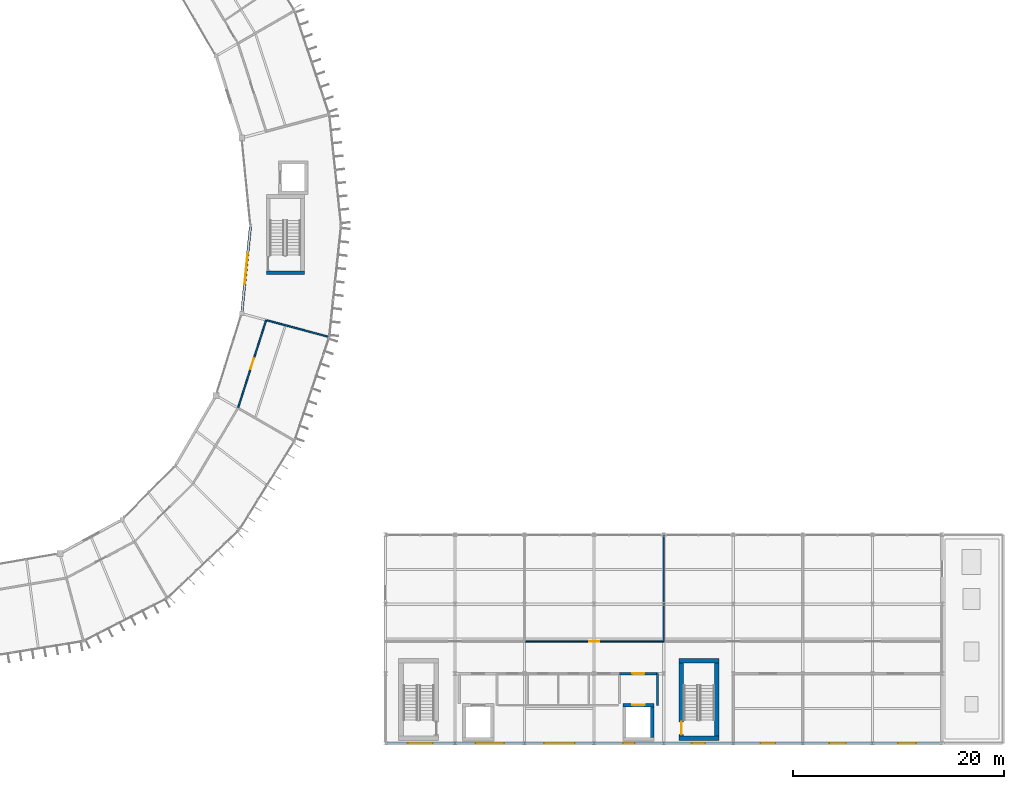
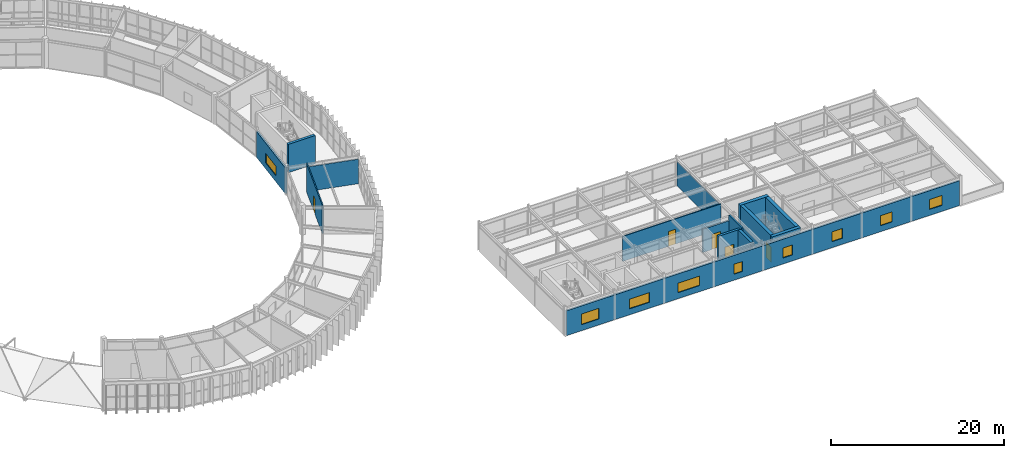
# One storey, part 93 of 106: 15 walls, 9 windows, 5 doors, 14 openings.
"""IFC4 building model written with IfcOpenShell, lengths in metres."""

from ifc_helpers import new_model, si_unit, direction, frame, frame_2d, origin, place, context, subcontext, project, spatial, rectangle, extrude, material, layer, layer_set, type_object, element, fill, save


model = new_model("IFC4")

# Units and contexts
model_context = context("Model", 3, precision=1e-05, world=origin(), true_north=direction((0.0, 1.0)))
body_context = subcontext(model_context, "Body", "Model", "MODEL_VIEW")
ifc_project = project(units=[si_unit("LENGTHUNIT", "METRE"), si_unit("AREAUNIT", "SQUARE_METRE"), si_unit("VOLUMEUNIT", "CUBIC_METRE"), si_unit("PLANEANGLEUNIT", "RADIAN"), si_unit("MASSUNIT", "GRAM", prefix="KILO")], contexts=[model_context])

# Site, building, storey
site_placement = place(None, origin())
site = spatial("IfcSite", under=ifc_project, at=site_placement, CompositionType="ELEMENT")
building_placement = place(site_placement, origin())
building = spatial("IfcBuilding", under=site, at=building_placement, Name="Karori Crest Natural Sciences Institute", CompositionType="ELEMENT")
storey_placement = place(building_placement, frame((0.0, 0.0, 25.89990234375)))
storey = spatial("IfcBuildingStorey", under=building, at=storey_placement, Name="L06", CompositionType="ELEMENT", Elevation=25.89990234375)

# Walls
ifc_material_1 = material(Name="Concrete 50 MPa", Category="concrete")
ifc_layer_1 = layer(ifc_material_1, 0.449951171875, Name="Concrete 50 MPa")
ifc_layer_set_1 = layer_set([ifc_layer_1], Name="Concrete 50 MPa")
wall_type_1 = type_object("IfcWallType", Name="IWT-01", PredefinedType="SHEAR", material=ifc_layer_set_1)
for number, where, z_axis, x_axis, name in (
    (1, (131.449951171875, 1.27490234375, 0.0), (0.0, 0.0, 1.0), (1.0, 0.0, 0.0), "Shear wall IW-0145"),
    (2, (131.449951171875, 8.625, 0.0), (0.0, 0.0, 1.0), (1.0, 0.0, 0.0), "Shear wall IW-0146"),
):
    element("IfcWall", number, at=place(storey_placement, frame(where, z_axis=z_axis, x_axis=x_axis)), inside=storey, type_object=wall_type_1, Name=name, PredefinedType="SHEAR", context=body_context, shape_type="SweptSolid", body=[
        extrude(rectangle(XDim=3.800048828125, YDim=0.449951171875, at=frame_2d((1.89990234375, 0.0))), origin(), (0.0, 0.0, 1.0), 4.02001953125),
    ])

# Wall, opening, door
wall_1_placement = place(storey_placement, frame((131.675048828125, 1.501953125, 0.0), z_axis=(0.0, 0.0, 1.0), x_axis=(0.0, 1.0, 0.0)))
wall_1 = element("IfcWall", 3, at=wall_1_placement, inside=storey, type_object=wall_type_1, Name="Shear wall IW-0147", PredefinedType="SHEAR", context=body_context, shape_type="SweptSolid", body=[
    extrude(rectangle(XDim=6.89599609375, YDim=0.449951171875, at=frame_2d((3.447998046875, 0.0))), origin(), (0.0, 0.0, 1.0), 4.02001953125),
])
opening_1_placement = place(wall_1_placement, frame((0.1201171875, 0.0, 0.0)))
opening_1 = element("IfcOpeningElement", 4, at=opening_1_placement, cuts=wall_1, Name="Opening ID-0037", PredefinedType="OPENING", context=body_context, shape_type="SweptSolid", body=[
    extrude(rectangle(XDim=1.199951171875, YDim=2.14990234375, at=frame_2d((0.60009765625, 1.074951171875))), frame((0.0, 0.23486328125, 0.0), z_axis=(0.0, -1.0, 0.0), x_axis=(1.0, 0.0, 0.0)), (0.0, 0.0, 1.0), 0.469970703125),
])
ifc_material_2 = material(Name="Stainless steel 316 and fire-rated timber", Category="steel")
door_type_1 = type_object("IfcDoorType", Name="IDT-01", OperationType="NOTDEFINED", PredefinedType="DOOR", material=ifc_material_2)
door_1_placement = place(opening_1_placement, origin())
door_1 = element("IfcDoor", 5, at=door_1_placement, inside=storey, type_object=door_type_1, Name="Stair ST-04 fire door ID-0037", OperationType="SINGLE_SWING_LEFT", OverallHeight=2.14990234375, OverallWidth=1.199951171875, PredefinedType="DOOR", context=body_context, shape_type="SweptSolid", body=[
    extrude(rectangle(XDim=1.199951171875, YDim=2.14990234375, at=frame_2d((0.60009765625, 1.074951171875))), frame((0.0, 0.02490234375, 0.0), z_axis=(0.0, -1.0, 0.0), x_axis=(1.0, 0.0, 0.0)), (0.0, 0.0, 1.0), 0.050048828125),
])
fill(opening_1, door_1)

# Walls
wall_2_placement = place(storey_placement, frame((135.02490234375, 1.501953125, 0.0), z_axis=(0.0, 0.0, 1.0), x_axis=(0.0, 1.0, 0.0)))
element("IfcWall", 6, at=wall_2_placement, inside=storey, type_object=wall_type_1, Name="Shear wall IW-0148", PredefinedType="SHEAR", context=body_context, shape_type="SweptSolid", body=[
    extrude(rectangle(XDim=6.89599609375, YDim=0.449951171875, at=frame_2d((3.447998046875, 0.0))), origin(), (0.0, 0.0, 1.0), 4.02001953125),
])
ifc_layer_2 = layer(ifc_material_1, 0.35009765625, Name="Concrete 50 MPa")
ifc_layer_set_2 = layer_set([ifc_layer_2], Name="Concrete 50 MPa")
wall_type_2 = type_object("IfcWallType", Name="IWT-02", PredefinedType="SHEAR", material=ifc_layer_set_2)
wall_3_placement = place(storey_placement, frame((92.300048828125, 45.425048828125, 0.0), z_axis=(0.0, 0.0, 1.0), x_axis=(1.0, 0.0, 0.0)))
element("IfcWall", 7, at=wall_3_placement, inside=storey, type_object=wall_type_2, Name="Shear wall IW-0029", PredefinedType="SHEAR", context=body_context, shape_type="SweptSolid", body=[
    extrude(rectangle(XDim=3.599853515625, YDim=0.35009765625, at=frame_2d((1.7998046875, 0.0))), origin(), (0.0, 0.0, 1.0), 4.0),
])

# Wall, opening, door
ifc_layer_3 = layer(ifc_material_1, 0.320068359375, Name="Concrete 50 MPa")
ifc_layer_set_3 = layer_set([ifc_layer_3], Name="Concrete 50 MPa")
wall_type_3 = type_object("IfcWallType", Name="IWT-03", PredefinedType="SHEAR", material=ifc_layer_set_3)
wall_4_placement = place(storey_placement, frame((126.1201171875, 4.419921875, 0.0), z_axis=(0.0, 0.0, 1.0), x_axis=(1.0, 0.0, 0.0)))
wall_4 = element("IfcWall", 8, at=wall_4_placement, inside=storey, type_object=wall_type_3, Name="Shear wall IW-0382", PredefinedType="SHEAR", context=body_context, shape_type="SweptSolid", body=[
    extrude(rectangle(XDim=2.9599609375, YDim=0.320068359375, at=frame_2d((1.47998046875, 0.0))), origin(), (0.0, 0.0, 1.0), 4.02001953125),
])
opening_2_placement = place(wall_4_placement, frame((0.8798828125, 0.0, 0.0)))
opening_2 = element("IfcOpeningElement", 9, at=opening_2_placement, cuts=wall_4, Name="Opening LD-0020", PredefinedType="OPENING", context=body_context, shape_type="SweptSolid", body=[
    extrude(rectangle(XDim=1.199951171875, YDim=2.199951171875, at=frame_2d((0.60009765625, 1.10009765625))), frame((0.0, 0.169921875, 0.0), z_axis=(0.0, -1.0, 0.0), x_axis=(1.0, 0.0, 0.0)), (0.0, 0.0, 1.0), 0.340087890625),
])
door_type_2 = type_object("IfcDoorType", Name="LDT-02", OperationType="SLIDING_TO_LEFT", PredefinedType="DOOR", material=ifc_material_2)
door_2_placement = place(opening_2_placement, origin())
door_2 = element("IfcDoor", 10, at=door_2_placement, inside=storey, type_object=door_type_2, Name="Lift LF-02 landing door LD-0020", OperationType="SLIDING_TO_LEFT", OverallHeight=2.199951171875, OverallWidth=1.199951171875, PredefinedType="DOOR", context=body_context, shape_type="SweptSolid", body=[
    extrude(rectangle(XDim=1.199951171875, YDim=2.199951171875, at=frame_2d((0.60009765625, 1.10009765625))), frame((0.0, 0.02490234375, 0.0), z_axis=(0.0, -1.0, 0.0), x_axis=(1.0, 0.0, 0.0)), (0.0, 0.0, 1.0), 0.050048828125),
])
fill(opening_2, door_2)

# Wall
wall_5_placement = place(storey_placement, frame((128.919921875, 1.342041015625, 0.0), z_axis=(0.0, 0.0, 1.0), x_axis=(0.0, 1.0, 0.0)))
element("IfcWall", 11, at=wall_5_placement, inside=storey, type_object=wall_type_3, Name="Shear wall IW-0384", PredefinedType="SHEAR", context=body_context, shape_type="SweptSolid", body=[
    extrude(rectangle(XDim=2.916015625, YDim=0.320068359375, at=frame_2d((1.4580078125, 0.0))), origin(), (0.0, 0.0, 1.0), 4.02001953125),
])

# Wall, opening, door
ifc_material_3 = material(Name="Concrete 40 MPa", Category="concrete")
ifc_layer_4 = layer(ifc_material_3, 0.199951171875, Name="Concrete 40 MPa")
ifc_layer_set_4 = layer_set([ifc_layer_4], Name="Concrete 40 MPa")
wall_type_4 = type_object("IfcWallType", Name="IWT-04", PredefinedType="SOLIDWALL", material=ifc_layer_set_4)
wall_6_placement = place(storey_placement, frame((125.800048828125, 7.39990234375, 0.0), z_axis=(0.0, 0.0, 1.0), x_axis=(1.0, 0.0, 0.0)))
wall_6 = element("IfcWall", 12, at=wall_6_placement, inside=storey, type_object=wall_type_4, Name="Partition wall IW-0755", PredefinedType="SOLIDWALL", context=body_context, shape_type="SweptSolid", body=[
    extrude(rectangle(XDim=3.599853515625, YDim=0.199951171875, at=frame_2d((1.7998046875, 0.0))), origin(), (0.0, 0.0, 1.0), 3.293212890625),
])
opening_3_placement = place(wall_6_placement, frame((1.22509765625, 0.0, 0.0)))
opening_3 = element("IfcOpeningElement", 13, at=opening_3_placement, cuts=wall_6, Name="Opening ID-0163", PredefinedType="OPENING", context=body_context, shape_type="SweptSolid", body=[
    extrude(rectangle(XDim=1.14990234375, YDim=2.14990234375, at=frame_2d((0.574951171875, 1.074951171875))), frame((0.0, 0.10986328125, 0.0), z_axis=(0.0, -1.0, 0.0), x_axis=(1.0, 0.0, 0.0)), (0.0, 0.0, 1.0), 0.219970703125),
])
door_type_3 = type_object("IfcDoorType", Name="IDT-02", OperationType="NOTDEFINED", PredefinedType="DOOR", material=ifc_material_2)
door_3_placement = place(opening_3_placement, origin())
door_3 = element("IfcDoor", 14, at=door_3_placement, inside=storey, type_object=door_type_3, Name="Firefighting Lift Lobby East door ID-0163", OperationType="SINGLE_SWING_LEFT", OverallHeight=2.14990234375, OverallWidth=1.14990234375, PredefinedType="DOOR", context=body_context, shape_type="SweptSolid", body=[
    extrude(rectangle(XDim=1.14990234375, YDim=2.14990234375, at=frame_2d((0.574951171875, 1.074951171875))), frame((0.0, 0.02490234375, 0.0), z_axis=(0.0, -1.0, 0.0), x_axis=(1.0, 0.0, 0.0)), (0.0, 0.0, 1.0), 0.050048828125),
])
fill(opening_3, door_3)

# Wall
wall_7_placement = place(storey_placement, frame((129.39990234375, 4.39990234375, 0.0), z_axis=(0.0, 0.0, 1.0), x_axis=(0.0, 1.0, 0.0)))
element("IfcWall", 15, at=wall_7_placement, inside=storey, type_object=wall_type_4, Name="Partition wall IW-0757", PredefinedType="SOLIDWALL", context=body_context, shape_type="SweptSolid", body=[
    extrude(rectangle(XDim=3.0, YDim=0.199951171875, at=frame_2d((1.5, 0.0))), origin(), (0.0, 0.0, 1.0), 4.02001953125),
])

# Wall, opening, door
ifc_material_4 = material(Name="Laboratory acoustic drywall partition")
ifc_layer_5 = layer(ifc_material_4, 0.139892578125, Name="Laboratory acoustic drywall partition")
ifc_layer_set_5 = layer_set([ifc_layer_5], Name="Laboratory acoustic drywall partition")
wall_type_5 = type_object("IfcWallType", Name="IWT-07", PredefinedType="PARTITIONING", material=ifc_layer_set_5)
wall_8_placement = place(storey_placement, frame((89.632080078125, 32.670166015625, 0.0), z_axis=(0.0, 0.0, 1.0), x_axis=(0.305495322231, 0.952193577008, 0.0)))
wall_8 = element("IfcWall", 16, at=wall_8_placement, inside=storey, type_object=wall_type_5, Name="Partition wall IW-1417", PredefinedType="PARTITIONING", context=body_context, shape_type="SweptSolid", body=[
    extrude(rectangle(XDim=8.690185546875, YDim=0.139892578125, at=frame_2d((4.34521484375, 0.0))), origin(), (0.0, 0.0, 1.0), 4.0),
])
opening_4_placement = place(wall_8_placement, frame((3.820068359375, 0.0, 0.0)))
opening_4 = element("IfcOpeningElement", 17, at=opening_4_placement, cuts=wall_8, Name="Opening ID-0452", PredefinedType="OPENING", context=body_context, shape_type="SweptSolid", body=[
    extrude(rectangle(XDim=1.050048828125, YDim=2.14990234375, at=frame_2d((0.52490234375, 1.074951171875))), frame((0.0, 0.080078125, 0.0), z_axis=(0.0, -1.0, 0.0), x_axis=(1.0, 0.0, 0.0)), (0.0, 0.0, 1.0), 0.159912109375),
])
door_type_4 = type_object("IfcDoorType", Name="IDT-03", OperationType="NOTDEFINED", PredefinedType="DOOR", material=ifc_material_2)
door_4_placement = place(opening_4_placement, origin())
door_4 = element("IfcDoor", 18, at=door_4_placement, inside=storey, type_object=door_type_4, Name="Mass Spectrometry Instrument Room door ID-0452", OperationType="SINGLE_SWING_RIGHT", OverallHeight=2.14990234375, OverallWidth=1.050048828125, PredefinedType="DOOR", context=body_context, shape_type="SweptSolid", body=[
    extrude(rectangle(XDim=1.050048828125, YDim=2.14990234375, at=frame_2d((0.52490234375, 1.074951171875))), frame((0.0, 0.02490234375, 0.0), z_axis=(0.0, -1.0, 0.0), x_axis=(1.0, 0.0, 0.0)), (0.0, 0.0, 1.0), 0.050048828125),
])
fill(opening_4, door_4)

# Wall
wall_9_placement = place(storey_placement, frame((92.364013671875, 40.92431640625, 0.0), z_axis=(0.0, 0.0, 1.0), x_axis=(0.96591927772, -0.258843483457, 0.0)))
element("IfcWall", 19, at=wall_9_placement, inside=storey, type_object=wall_type_5, Name="Partition wall IW-1418", PredefinedType="PARTITIONING", context=body_context, shape_type="SweptSolid", body=[
    extrude(rectangle(XDim=6.06005859375, YDim=0.139892578125, at=frame_2d((3.030029296875, 0.0))), origin(), (0.0, 0.0, 1.0), 3.465087890625),
])

# Wall, opening, door
ifc_material_5 = material(Name="Write-up office acoustic partition")
ifc_layer_6 = layer(ifc_material_5, 0.1201171875, Name="Write-up office acoustic partition")
ifc_layer_set_6 = layer_set([ifc_layer_6], Name="Write-up office acoustic partition")
wall_type_6 = type_object("IfcWallType", Name="IWT-08", PredefinedType="PARTITIONING", material=ifc_layer_set_6)
wall_10_placement = place(storey_placement, frame((116.862060546875, 10.449951171875, 0.0), z_axis=(0.0, 0.0, 1.0), x_axis=(1.0, 0.0, 0.0)))
wall_10 = element("IfcWall", 20, at=wall_10_placement, inside=storey, type_object=wall_type_6, Name="Partition wall IW-0775", PredefinedType="PARTITIONING", context=body_context, shape_type="SweptSolid", body=[
    extrude(rectangle(XDim=13.137939453125, YDim=0.1201171875, at=frame_2d((6.56884765625, 0.0))), origin(), (0.0, 0.0, 1.0), 3.546142578125),
])
opening_5_placement = place(wall_10_placement, frame((6.093994140625, 0.0, 0.0)))
opening_5 = element("IfcOpeningElement", 21, at=opening_5_placement, cuts=wall_10, Name="Opening ID-0171", PredefinedType="OPENING", context=body_context, shape_type="SweptSolid", body=[
    extrude(rectangle(XDim=0.949951171875, YDim=2.10009765625, at=frame_2d((0.47509765625, 1.050048828125))), frame((0.0, 0.070068359375, 0.0), z_axis=(0.0, -1.0, 0.0), x_axis=(1.0, 0.0, 0.0)), (0.0, 0.0, 1.0), 0.14013671875),
])
ifc_material_6 = material(Name="Anodised aluminium and acoustic timber", Category="wood")
door_type_5 = type_object("IfcDoorType", Name="IDT-08", OperationType="NOTDEFINED", PredefinedType="DOOR", material=ifc_material_6)
door_5_placement = place(opening_5_placement, origin())
door_5 = element("IfcDoor", 22, at=door_5_placement, inside=storey, type_object=door_type_5, Name="Ecological Modelling Studio door ID-0171", OperationType="SINGLE_SWING_LEFT", OverallHeight=2.10009765625, OverallWidth=0.949951171875, PredefinedType="DOOR", context=body_context, shape_type="SweptSolid", body=[
    extrude(rectangle(XDim=0.949951171875, YDim=2.10009765625, at=frame_2d((0.47509765625, 1.050048828125))), frame((0.0, 0.02490234375, 0.0), z_axis=(0.0, -1.0, 0.0), x_axis=(1.0, 0.0, 0.0)), (0.0, 0.0, 1.0), 0.050048828125),
])
fill(opening_5, door_5)

# Wall
wall_11_placement = place(storey_placement, frame((130.0, 10.449951171875, 0.0), z_axis=(0.0, 0.0, 1.0), x_axis=(0.0, 1.0, 0.0)))
element("IfcWall", 23, at=wall_11_placement, inside=storey, type_object=wall_type_6, Name="Partition wall IW-0776", PredefinedType="PARTITIONING", context=body_context, shape_type="SweptSolid", body=[
    extrude(rectangle(XDim=10.06298828125, YDim=0.1201171875, at=frame_2d((5.031494140625, 0.0))), origin(), (0.0, 0.0, 1.0), 3.3720703125),
])

# Wall, opening, window
ifc_material_7 = material(Name="Precast concrete 40 MPa", Category="concrete")
ifc_layer_7 = layer(ifc_material_7, 0.239990234375, Name="Precast concrete 40 MPa")
ifc_layer_set_7 = layer_set([ifc_layer_7], Name="Precast concrete 40 MPa")
wall_type_7 = type_object("IfcWallType", Name="WT-04", PredefinedType="SOLIDWALL", material=ifc_layer_set_7)
wall_12_placement = place(storey_placement, frame((89.98828125, 41.763916015625, 0.0), z_axis=(0.0, 0.0, 1.0), x_axis=(0.099282146725, 0.995059322524, 0.0)))
wall_12 = element("IfcWall", 24, at=wall_12_placement, inside=storey, type_object=wall_type_7, Name="Exterior wall EW-0103", PredefinedType="SOLIDWALL", context=body_context, shape_type="SweptSolid", body=[
    extrude(rectangle(XDim=8.072998046875, YDim=0.239990234375, at=frame_2d((4.03662109375, 0.0))), origin(), (0.0, 0.0, 1.0), 3.650146484375),
])
opening_6_placement = place(wall_12_placement, frame((2.58642578125, 0.0, 0.85009765625)))
opening_6 = element("IfcOpeningElement", 25, at=opening_6_placement, cuts=wall_12, Name="Opening WN-0048", PredefinedType="OPENING", context=body_context, shape_type="SweptSolid", body=[
    extrude(rectangle(XDim=2.89990234375, YDim=1.35009765625, at=frame_2d((1.449951171875, 0.675048828125))), frame((0.0, 0.1298828125, 0.0), z_axis=(0.0, -1.0, 0.0), x_axis=(1.0, 0.0, 0.0)), (0.0, 0.0, 1.0), 0.260009765625),
])
ifc_material_8 = material(Name="Double low-E laminated glass", Category="glass")
window_type_1 = type_object("IfcWindowType", Name="WNT-24", PartitioningType="SINGLE_PANEL", PredefinedType="WINDOW", material=ifc_material_8)
window_1_placement = place(opening_6_placement, origin())
window_1 = element("IfcWindow", 26, at=window_1_placement, inside=storey, type_object=window_type_1, Name="Window WN-0048", OverallHeight=1.35009765625, OverallWidth=2.89990234375, PartitioningType="SINGLE_PANEL", PredefinedType="WINDOW", context=body_context, shape_type="SweptSolid", body=[
    extrude(rectangle(XDim=2.89990234375, YDim=1.35009765625, at=frame_2d((1.449951171875, 0.675048828125))), frame((0.0, 0.030029296875, 0.0), z_axis=(0.0, -1.0, 0.0), x_axis=(1.0, 0.0, 0.0)), (0.0, 0.0, 1.0), 0.06005859375),
])
fill(opening_6, window_1)

# Wall, openings, windows
wall_13_placement = place(storey_placement, frame((156.24658203125, 0.800048828125, 0.0), z_axis=(0.0, 0.0, 1.0), x_axis=(-1.0, 0.0, 0.0)))
wall_13 = element("IfcWall", 27, at=wall_13_placement, inside=storey, type_object=wall_type_7, Name="Exterior wall EW-0214", PredefinedType="SOLIDWALL", context=body_context, shape_type="SweptSolid", body=[
    extrude(rectangle(XDim=52.4931640625, YDim=0.239990234375, at=frame_2d((26.24658203125, 0.0))), origin(), (0.0, 0.0, 1.0), 3.505126953125),
])
opening_7_placement = place(wall_13_placement, frame((48.17138671875, 0.0, 0.85009765625)))
opening_7 = element("IfcOpeningElement", 28, at=opening_7_placement, cuts=wall_13, Name="Opening WN-0194", PredefinedType="OPENING", context=body_context, shape_type="SweptSolid", body=[
    extrude(rectangle(XDim=2.35009765625, YDim=1.5, at=frame_2d((1.175048828125, 0.75))), frame((0.0, 0.1298828125, 0.0), z_axis=(0.0, -1.0, 0.0), x_axis=(1.0, 0.0, 0.0)), (0.0, 0.0, 1.0), 0.260009765625),
])
opening_8_placement = place(wall_13_placement, frame((41.396484375, 0.0, 0.85009765625)))
opening_8 = element("IfcOpeningElement", 29, at=opening_8_placement, cuts=wall_13, Name="Opening WN-0195", PredefinedType="OPENING", context=body_context, shape_type="SweptSolid", body=[
    extrude(rectangle(XDim=2.699951171875, YDim=1.35009765625, at=frame_2d((1.35009765625, 0.675048828125))), frame((0.0, 0.1298828125, 0.0), z_axis=(0.0, -1.0, 0.0), x_axis=(1.0, 0.0, 0.0)), (0.0, 0.0, 1.0), 0.260009765625),
])
opening_9_placement = place(wall_13_placement, frame((34.696533203125, 0.0, 0.85009765625)))
opening_9 = element("IfcOpeningElement", 30, at=opening_9_placement, cuts=wall_13, Name="Opening WN-0196", PredefinedType="OPENING", context=body_context, shape_type="SweptSolid", body=[
    extrude(rectangle(XDim=2.89990234375, YDim=1.35009765625, at=frame_2d((1.449951171875, 0.675048828125))), frame((0.0, 0.1298828125, 0.0), z_axis=(0.0, -1.0, 0.0), x_axis=(1.0, 0.0, 0.0)), (0.0, 0.0, 1.0), 0.260009765625),
])
opening_10_placement = place(wall_13_placement, frame((28.99658203125, 0.0, 0.85009765625)))
opening_10 = element("IfcOpeningElement", 31, at=opening_10_placement, cuts=wall_13, Name="Opening WN-0197", PredefinedType="OPENING", context=body_context, shape_type="SweptSolid", body=[
    extrude(rectangle(XDim=1.10009765625, YDim=1.39990234375, at=frame_2d((0.550048828125, 0.699951171875))), frame((0.0, 0.1298828125, 0.0), z_axis=(0.0, -1.0, 0.0), x_axis=(1.0, 0.0, 0.0)), (0.0, 0.0, 1.0), 0.260009765625),
])
opening_11_placement = place(wall_13_placement, frame((22.321533203125, 0.0, 0.85009765625)))
opening_11 = element("IfcOpeningElement", 32, at=opening_11_placement, cuts=wall_13, Name="Opening WN-0198", PredefinedType="OPENING", context=body_context, shape_type="SweptSolid", body=[
    extrude(rectangle(XDim=1.25, YDim=1.39990234375, at=frame_2d((0.625, 0.699951171875))), frame((0.0, 0.1298828125, 0.0), z_axis=(0.0, -1.0, 0.0), x_axis=(1.0, 0.0, 0.0)), (0.0, 0.0, 1.0), 0.260009765625),
])
opening_12_placement = place(wall_13_placement, frame((15.646484375, 0.0, 0.85009765625)))
opening_12 = element("IfcOpeningElement", 33, at=opening_12_placement, cuts=wall_13, Name="Opening WN-0199", PredefinedType="OPENING", context=body_context, shape_type="SweptSolid", body=[
    extrude(rectangle(XDim=1.39990234375, YDim=1.39990234375, at=frame_2d((0.699951171875, 0.699951171875))), frame((0.0, 0.1298828125, 0.0), z_axis=(0.0, -1.0, 0.0), x_axis=(1.0, 0.0, 0.0)), (0.0, 0.0, 1.0), 0.260009765625),
])
opening_13_placement = place(wall_13_placement, frame((8.971435546875, 0.0, 0.85009765625)))
opening_13 = element("IfcOpeningElement", 34, at=opening_13_placement, cuts=wall_13, Name="Opening WN-0200", PredefinedType="OPENING", context=body_context, shape_type="SweptSolid", body=[
    extrude(rectangle(XDim=1.550048828125, YDim=1.39990234375, at=frame_2d((0.77490234375, 0.699951171875))), frame((0.0, 0.1298828125, 0.0), z_axis=(0.0, -1.0, 0.0), x_axis=(1.0, 0.0, 0.0)), (0.0, 0.0, 1.0), 0.260009765625),
])
opening_14_placement = place(wall_13_placement, frame((2.29638671875, 0.0, 0.85009765625)))
opening_14 = element("IfcOpeningElement", 35, at=opening_14_placement, cuts=wall_13, Name="Opening WN-0201", PredefinedType="OPENING", context=body_context, shape_type="SweptSolid", body=[
    extrude(rectangle(XDim=1.699951171875, YDim=1.39990234375, at=frame_2d((0.85009765625, 0.699951171875))), frame((0.0, 0.1298828125, 0.0), z_axis=(0.0, -1.0, 0.0), x_axis=(1.0, 0.0, 0.0)), (0.0, 0.0, 1.0), 0.260009765625),
])
window_type_2 = type_object("IfcWindowType", Name="WNT-01", PartitioningType="SINGLE_PANEL", PredefinedType="WINDOW", material=ifc_material_8)
window_2_placement = place(opening_10_placement, origin())
window_2 = element("IfcWindow", 36, at=window_2_placement, inside=storey, type_object=window_type_2, Name="Window WN-0197", OverallHeight=1.39990234375, OverallWidth=1.10009765625, PartitioningType="SINGLE_PANEL", PredefinedType="WINDOW", context=body_context, shape_type="SweptSolid", body=[
    extrude(rectangle(XDim=1.10009765625, YDim=1.39990234375, at=frame_2d((0.550048828125, 0.699951171875))), frame((0.0, 0.030029296875, 0.0), z_axis=(0.0, -1.0, 0.0), x_axis=(1.0, 0.0, 0.0)), (0.0, 0.0, 1.0), 0.06005859375),
])
fill(opening_10, window_2)
window_type_3 = type_object("IfcWindowType", Name="WNT-02", PartitioningType="SINGLE_PANEL", PredefinedType="WINDOW", material=ifc_material_8)
window_3_placement = place(opening_11_placement, origin())
window_3 = element("IfcWindow", 37, at=window_3_placement, inside=storey, type_object=window_type_3, Name="Window WN-0198", OverallHeight=1.39990234375, OverallWidth=1.25, PartitioningType="SINGLE_PANEL", PredefinedType="WINDOW", context=body_context, shape_type="SweptSolid", body=[
    extrude(rectangle(XDim=1.25, YDim=1.39990234375, at=frame_2d((0.625, 0.699951171875))), frame((0.0, 0.030029296875, 0.0), z_axis=(0.0, -1.0, 0.0), x_axis=(1.0, 0.0, 0.0)), (0.0, 0.0, 1.0), 0.06005859375),
])
fill(opening_11, window_3)
window_type_4 = type_object("IfcWindowType", Name="WNT-03", PartitioningType="SINGLE_PANEL", PredefinedType="WINDOW", material=ifc_material_8)
window_4_placement = place(opening_12_placement, origin())
window_4 = element("IfcWindow", 38, at=window_4_placement, inside=storey, type_object=window_type_4, Name="Window WN-0199", OverallHeight=1.39990234375, OverallWidth=1.39990234375, PartitioningType="SINGLE_PANEL", PredefinedType="WINDOW", context=body_context, shape_type="SweptSolid", body=[
    extrude(rectangle(XDim=1.39990234375, YDim=1.39990234375, at=frame_2d((0.699951171875, 0.699951171875))), frame((0.0, 0.030029296875, 0.0), z_axis=(0.0, -1.0, 0.0), x_axis=(1.0, 0.0, 0.0)), (0.0, 0.0, 1.0), 0.06005859375),
])
fill(opening_12, window_4)
window_type_5 = type_object("IfcWindowType", Name="WNT-04", PartitioningType="SINGLE_PANEL", PredefinedType="WINDOW", material=ifc_material_8)
window_5_placement = place(opening_13_placement, origin())
window_5 = element("IfcWindow", 39, at=window_5_placement, inside=storey, type_object=window_type_5, Name="Window WN-0200", OverallHeight=1.39990234375, OverallWidth=1.550048828125, PartitioningType="SINGLE_PANEL", PredefinedType="WINDOW", context=body_context, shape_type="SweptSolid", body=[
    extrude(rectangle(XDim=1.550048828125, YDim=1.39990234375, at=frame_2d((0.77490234375, 0.699951171875))), frame((0.0, 0.030029296875, 0.0), z_axis=(0.0, -1.0, 0.0), x_axis=(1.0, 0.0, 0.0)), (0.0, 0.0, 1.0), 0.06005859375),
])
fill(opening_13, window_5)
window_type_6 = type_object("IfcWindowType", Name="WNT-05", PartitioningType="SINGLE_PANEL", PredefinedType="WINDOW", material=ifc_material_8)
window_6_placement = place(opening_14_placement, origin())
window_6 = element("IfcWindow", 40, at=window_6_placement, inside=storey, type_object=window_type_6, Name="Window WN-0201", OverallHeight=1.39990234375, OverallWidth=1.699951171875, PartitioningType="SINGLE_PANEL", PredefinedType="WINDOW", context=body_context, shape_type="SweptSolid", body=[
    extrude(rectangle(XDim=1.699951171875, YDim=1.39990234375, at=frame_2d((0.85009765625, 0.699951171875))), frame((0.0, 0.030029296875, 0.0), z_axis=(0.0, -1.0, 0.0), x_axis=(1.0, 0.0, 0.0)), (0.0, 0.0, 1.0), 0.06005859375),
])
fill(opening_14, window_6)
window_type_7 = type_object("IfcWindowType", Name="WNT-22", PartitioningType="SINGLE_PANEL", PredefinedType="WINDOW", material=ifc_material_8)
window_7_placement = place(opening_7_placement, origin())
window_7 = element("IfcWindow", 41, at=window_7_placement, inside=storey, type_object=window_type_7, Name="Window WN-0194", OverallHeight=1.5, OverallWidth=2.35009765625, PartitioningType="SINGLE_PANEL", PredefinedType="WINDOW", context=body_context, shape_type="SweptSolid", body=[
    extrude(rectangle(XDim=2.35009765625, YDim=1.5, at=frame_2d((1.175048828125, 0.75))), frame((0.0, 0.030029296875, 0.0), z_axis=(0.0, -1.0, 0.0), x_axis=(1.0, 0.0, 0.0)), (0.0, 0.0, 1.0), 0.06005859375),
])
fill(opening_7, window_7)
window_type_8 = type_object("IfcWindowType", Name="WNT-23", PartitioningType="SINGLE_PANEL", PredefinedType="WINDOW", material=ifc_material_8)
window_8_placement = place(opening_8_placement, origin())
window_8 = element("IfcWindow", 42, at=window_8_placement, inside=storey, type_object=window_type_8, Name="Window WN-0195", OverallHeight=1.35009765625, OverallWidth=2.699951171875, PartitioningType="SINGLE_PANEL", PredefinedType="WINDOW", context=body_context, shape_type="SweptSolid", body=[
    extrude(rectangle(XDim=2.699951171875, YDim=1.35009765625, at=frame_2d((1.35009765625, 0.675048828125))), frame((0.0, 0.030029296875, 0.0), z_axis=(0.0, -1.0, 0.0), x_axis=(1.0, 0.0, 0.0)), (0.0, 0.0, 1.0), 0.06005859375),
])
fill(opening_8, window_8)
window_9_placement = place(opening_9_placement, origin())
window_9 = element("IfcWindow", 43, at=window_9_placement, inside=storey, type_object=window_type_1, Name="Window WN-0196", OverallHeight=1.35009765625, OverallWidth=2.89990234375, PartitioningType="SINGLE_PANEL", PredefinedType="WINDOW", context=body_context, shape_type="SweptSolid", body=[
    extrude(rectangle(XDim=2.89990234375, YDim=1.35009765625, at=frame_2d((1.449951171875, 0.675048828125))), frame((0.0, 0.030029296875, 0.0), z_axis=(0.0, -1.0, 0.0), x_axis=(1.0, 0.0, 0.0)), (0.0, 0.0, 1.0), 0.06005859375),
])
fill(opening_9, window_9)

save(model, "model.ifc")
